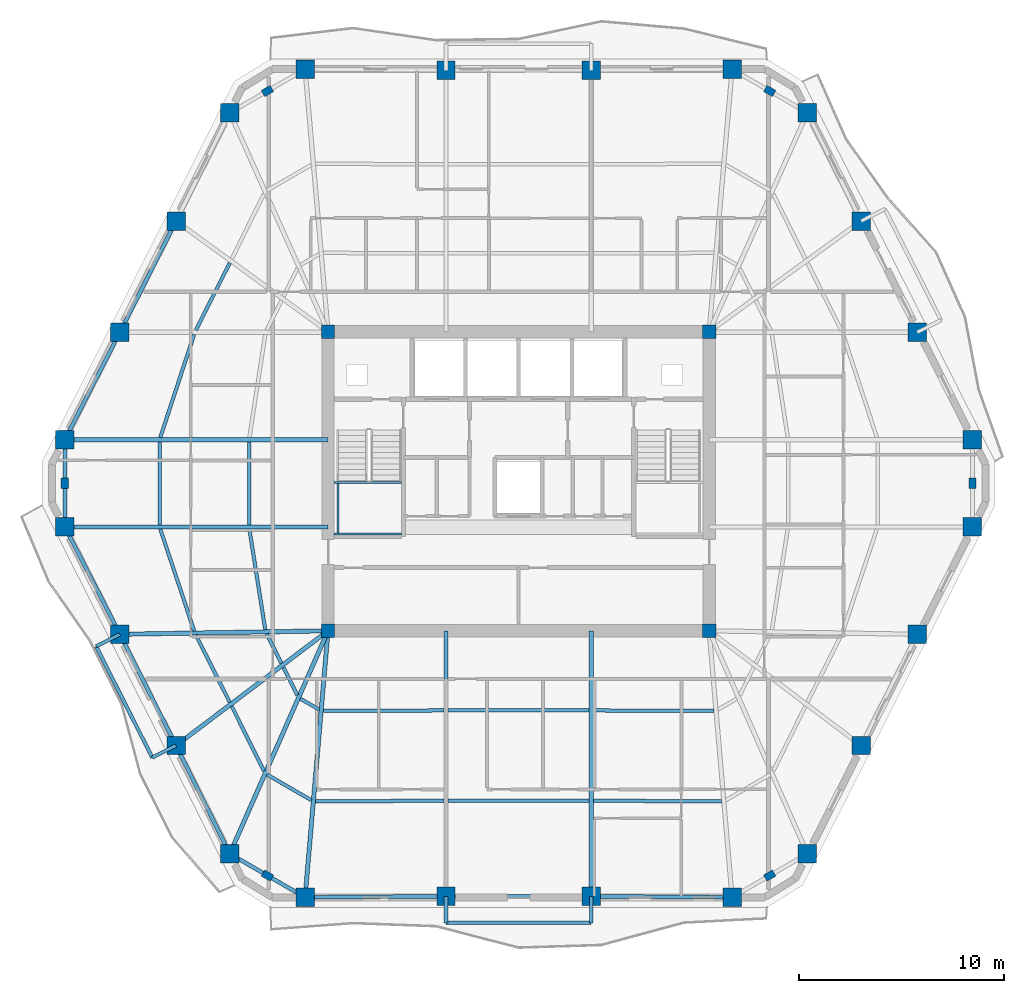
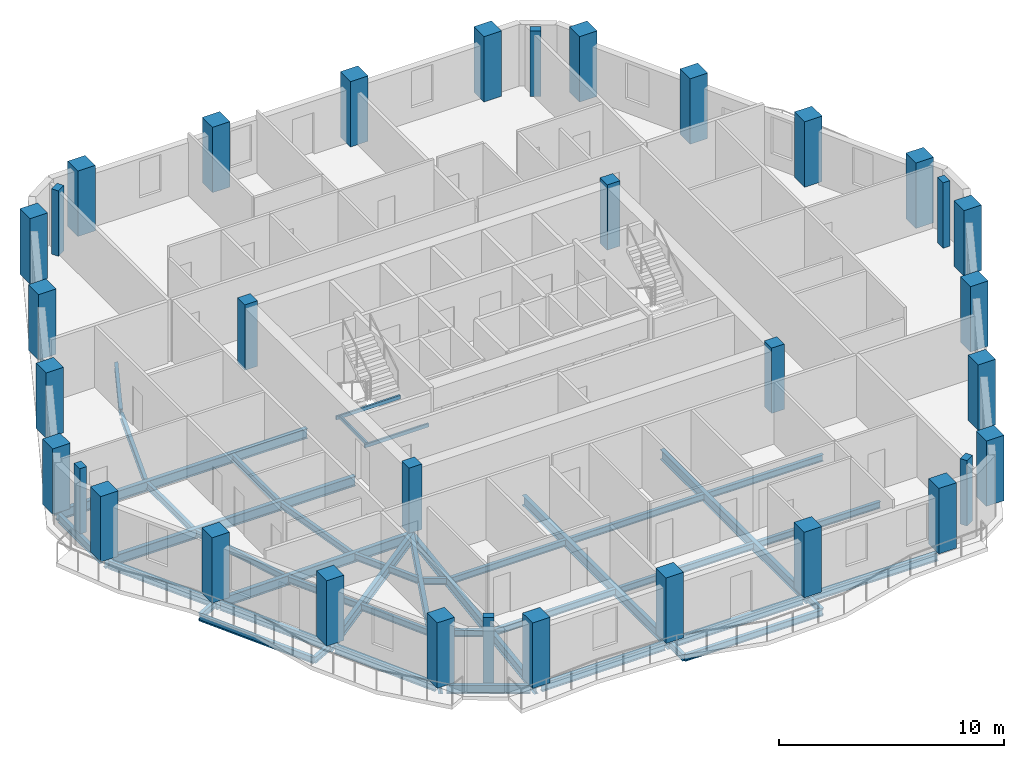
# One storey, part 1 of 11: 45 beams, 34 columns.
"""IFC4 building model written with IfcOpenShell, lengths in metres."""

from ifc_helpers import new_model, si_unit, direction, frame, origin, origin_2d, place, context, subcontext, project, spatial, rectangle, hollow_rectangle, i_section, extrude, material, material_profile, profile_set, type_object, element, save


model = new_model("IFC4")

# Units and contexts
model_context = context("Model", 3, precision=1e-05, world=origin(), true_north=direction((0.0, 1.0)))
body_context = subcontext(model_context, "Body", "Model", "MODEL_VIEW")
ifc_project = project(units=[si_unit("LENGTHUNIT", "METRE"), si_unit("AREAUNIT", "SQUARE_METRE"), si_unit("VOLUMEUNIT", "CUBIC_METRE"), si_unit("PLANEANGLEUNIT", "RADIAN"), si_unit("MASSUNIT", "GRAM", prefix="KILO")], contexts=[model_context])

# Site, building, storey
site_placement = place(None, origin())
site = spatial("IfcSite", under=ifc_project, at=site_placement, CompositionType="ELEMENT")
building_placement = place(site_placement, origin())
building = spatial("IfcBuilding", under=site, at=building_placement, Name="Cinnabar Lancet Tower", CompositionType="ELEMENT")
storey_placement = place(building_placement, frame((0.0, 0.0, 175.449951171875)))
storey = spatial("IfcBuildingStorey", under=building, at=storey_placement, Name="L46", CompositionType="ELEMENT", Elevation=175.449951171875)

# Columns
ifc_material_1 = material(Name="Concrete C60/75", Category="concrete")
ifc_material_profile_1 = material_profile(ifc_material_1, rectangle(XDim=0.64990234375, YDim=0.64990234375, at=origin_2d()), Name="RC-COL 650x650")
ifc_profile_set_1 = profile_set([ifc_material_profile_1], Name="Concrete C60/75")
column_type_1 = type_object("IfcColumnType", Name="STR-COL-CORE-650", PredefinedType="COLUMN", material=ifc_profile_set_1)
for number, where, z_axis, x_axis, name in (
    (1, (23.10009765625, 18.60009765625, 0.0), (0.0, 0.0, 1.0), (1.0, 0.0, 0.0), "L46 Core Corner Column SW"),
    (2, (41.699951171875, 18.60009765625, 0.0), (0.0, 0.0, 1.0), (1.0, 0.0, 0.0), "L46 Core Corner Column SE"),
    (3, (41.699951171875, 33.199951171875, 0.0), (0.0, 0.0, 1.0), (1.0, 0.0, 0.0), "L46 Core Corner Column NE"),
    (4, (23.10009765625, 33.199951171875, 0.0), (0.0, 0.0, 1.0), (1.0, 0.0, 0.0), "L46 Core Corner Column NW"),
):
    element("IfcColumn", number, at=place(storey_placement, frame(where, z_axis=z_axis, x_axis=x_axis)), inside=storey, type_object=column_type_1, Name=name, PredefinedType="COLUMN", context=body_context, shape_type="SweptSolid", body=[
        extrude(rectangle(XDim=0.64990234375, YDim=0.64990234375, at=origin_2d()), origin(), (0.0, 0.0, 1.0), 3.550048828125),
    ])
ifc_material_2 = material(Name="Concrete C60/75", Category="concrete")
ifc_material_profile_2 = material_profile(ifc_material_2, rectangle(XDim=0.5, YDim=0.35009765625, at=origin_2d()), Name="RC-PIL 500x350")
ifc_profile_set_2 = profile_set([ifc_material_profile_2], Name="Concrete C60/75")
column_type_2 = type_object("IfcColumnType", Name="STR-COL-PIL-500", PredefinedType="PILASTER", material=ifc_profile_set_2)
for number, where, z_axis, x_axis, name in (
    (5, (20.14208984375, 6.654052734375, 0.0), (0.0, 0.0, 1.0), (0.865230187018, -0.501374833306, 0.0), "L46 Chamfered Corner Pilaster 1"),
    (6, (44.657958984375, 6.654052734375, 0.0), (0.0, 0.0, 1.0), (0.865230187018, 0.501374833306, 0.0), "L46 Chamfered Corner Pilaster 2"),
    (7, (54.547119140625, 25.800048828125, 0.0), (0.0, 0.0, 1.0), (0.0, 1.0, 0.0), "L46 Chamfered Corner Pilaster 3"),
    (8, (44.657958984375, 44.947021484375, 0.0), (0.0, 0.0, 1.0), (-0.865230187018, 0.501374833306, 0.0), "L46 Chamfered Corner Pilaster 4"),
    (9, (20.14208984375, 44.947021484375, 0.0), (0.0, 0.0, 1.0), (-0.865230187018, -0.501374833306, 0.0), "L46 Chamfered Corner Pilaster 5"),
    (10, (10.2529296875, 25.800048828125, 0.0), (0.0, 0.0, 1.0), (0.0, -1.0, 0.0), "L46 Chamfered Corner Pilaster 6"),
):
    element("IfcColumn", number, at=place(storey_placement, frame(where, z_axis=z_axis, x_axis=x_axis)), inside=storey, type_object=column_type_2, Name=name, PredefinedType="PILASTER", context=body_context, shape_type="SweptSolid", body=[
        extrude(rectangle(XDim=0.5, YDim=0.35009765625, at=origin_2d()), origin(), (0.0, 0.0, 1.0), 3.550048828125),
    ])
ifc_material_3 = material(Name="Concrete C60/75", Category="concrete")
ifc_material_profile_3 = material_profile(ifc_material_3, rectangle(XDim=0.89990234375, YDim=0.89990234375, at=origin_2d()), Name="RC-COL 900x900")
ifc_profile_set_3 = profile_set([ifc_material_profile_3], Name="Concrete C60/75")
column_type_3 = type_object("IfcColumnType", Name="STR-COL-TUBE-900", PredefinedType="COLUMN", material=ifc_profile_set_3)
for number, where, z_axis, x_axis, name in (
    (11, (21.97900390625, 5.589111328125, 0.0), (0.0, 0.0, 1.0), (1.0, 0.0, 0.0), "L46 Perimeter Tube Column 1"),
    (12, (28.85693359375, 5.64208984375, 0.0), (0.0, 0.0, 1.0), (1.0, 0.0, 0.0), "L46 Perimeter Tube Column 2"),
    (13, (35.943115234375, 5.64208984375, 0.0), (0.0, 0.0, 1.0), (1.0, 0.0, 0.0), "L46 Perimeter Tube Column 3"),
    (14, (42.821044921875, 5.589111328125, 0.0), (0.0, 0.0, 1.0), (1.0, 0.0, 0.0), "L46 Perimeter Tube Column 4"),
    (15, (46.4951171875, 7.718017578125, 0.0), (0.0, 0.0, 1.0), (1.0, 0.0, 0.0), "L46 Perimeter Tube Column 5"),
    (16, (49.118896484375, 13.0009765625, 0.0), (0.0, 0.0, 1.0), (1.0, 0.0, 0.0), "L46 Perimeter Tube Column 6"),
    (17, (51.85791015625, 18.428955078125, 0.0), (0.0, 0.0, 1.0), (1.0, 0.0, 0.0), "L46 Perimeter Tube Column 7"),
    (18, (54.547119140625, 23.66796875, 0.0), (0.0, 0.0, 1.0), (1.0, 0.0, 0.0), "L46 Perimeter Tube Column 8"),
    (19, (54.547119140625, 27.931884765625, 0.0), (0.0, 0.0, 1.0), (1.0, 0.0, 0.0), "L46 Perimeter Tube Column 9"),
    (20, (51.85791015625, 33.1708984375, 0.0), (0.0, 0.0, 1.0), (1.0, 0.0, 0.0), "L46 Perimeter Tube Column 10"),
    (21, (49.118896484375, 38.59912109375, 0.0), (0.0, 0.0, 1.0), (1.0, 0.0, 0.0), "L46 Perimeter Tube Column 11"),
    (22, (46.4951171875, 43.882080078125, 0.0), (0.0, 0.0, 1.0), (1.0, 0.0, 0.0), "L46 Perimeter Tube Column 12"),
    (23, (42.821044921875, 46.010986328125, 0.0), (0.0, 0.0, 1.0), (1.0, 0.0, 0.0), "L46 Perimeter Tube Column 13"),
    (24, (35.943115234375, 45.9580078125, 0.0), (0.0, 0.0, 1.0), (1.0, 0.0, 0.0), "L46 Perimeter Tube Column 14"),
    (25, (28.85693359375, 45.9580078125, 0.0), (0.0, 0.0, 1.0), (1.0, 0.0, 0.0), "L46 Perimeter Tube Column 15"),
    (26, (21.97900390625, 46.010986328125, 0.0), (0.0, 0.0, 1.0), (1.0, 0.0, 0.0), "L46 Perimeter Tube Column 16"),
    (27, (18.304931640625, 43.882080078125, 0.0), (0.0, 0.0, 1.0), (1.0, 0.0, 0.0), "L46 Perimeter Tube Column 17"),
    (28, (15.680908203125, 38.59912109375, 0.0), (0.0, 0.0, 1.0), (1.0, 0.0, 0.0), "L46 Perimeter Tube Column 18"),
    (29, (12.94189453125, 33.1708984375, 0.0), (0.0, 0.0, 1.0), (1.0, 0.0, 0.0), "L46 Perimeter Tube Column 19"),
    (30, (10.2529296875, 27.931884765625, 0.0), (0.0, 0.0, 1.0), (1.0, 0.0, 0.0), "L46 Perimeter Tube Column 20"),
    (31, (10.2529296875, 23.66796875, 0.0), (0.0, 0.0, 1.0), (1.0, 0.0, 0.0), "L46 Perimeter Tube Column 21"),
    (32, (12.94189453125, 18.428955078125, 0.0), (0.0, 0.0, 1.0), (1.0, 0.0, 0.0), "L46 Perimeter Tube Column 22"),
    (33, (15.680908203125, 13.0009765625, 0.0), (0.0, 0.0, 1.0), (1.0, 0.0, 0.0), "L46 Perimeter Tube Column 23"),
    (34, (18.304931640625, 7.718017578125, 0.0), (0.0, 0.0, 1.0), (1.0, 0.0, 0.0), "L46 Perimeter Tube Column 24"),
):
    element("IfcColumn", number, at=place(storey_placement, frame(where, z_axis=z_axis, x_axis=x_axis)), inside=storey, type_object=column_type_3, Name=name, PredefinedType="COLUMN", context=body_context, shape_type="SweptSolid", body=[
        extrude(rectangle(XDim=0.89990234375, YDim=0.89990234375, at=origin_2d()), origin(), (0.0, 0.0, 1.0), 3.550048828125),
    ])

# Beams
ifc_material_4 = material(Name="Structural steel S355", Category="steel")
ifc_material_profile_4 = material_profile(ifc_material_4, i_section(OverallWidth=0.17138671875, OverallDepth=0.35498046875, WebThickness=0.00732421875, FlangeThickness=0.011474609375, FilletRadius=0.01025390625, at=origin_2d()), Name="UKB 356x171x51")
ifc_profile_set_4 = profile_set([ifc_material_profile_4], Name="Structural steel S355")
beam_type_1 = type_object("IfcBeamType", Name="STR-BM-JST-356", PredefinedType="JOIST", material=ifc_profile_set_4)
beam_1_placement = place(storey_placement, frame((14.9130859375, 23.56298828125, -0.3779296875), z_axis=(0.315346227037, -0.948976689436, 0.0), x_axis=(0.948976689436, 0.315346227037, 0.0)))
element("IfcBeam", 35, at=beam_1_placement, inside=storey, type_object=beam_type_1, Name="L46 Secondary Floor Joist 1", PredefinedType="JOIST", context=body_context, shape_type="SweptSolid", body=[
    extrude(i_section(OverallWidth=0.17138671875, OverallDepth=0.35498046875, WebThickness=0.00732421875, FlangeThickness=0.011474609375, FilletRadius=0.01025390625, at=origin_2d()), origin(), (0.0, 0.0, 1.0), 5.235107421875),
])
beam_2_placement = place(storey_placement, frame((19.261962890625, 23.56298828125, -0.3779296875), z_axis=(0.155702775827, -0.987803950994, 0.0), x_axis=(0.987803950994, 0.155702775827, 0.0)))
element("IfcBeam", 36, at=beam_2_placement, inside=storey, type_object=beam_type_1, Name="L46 Secondary Floor Joist 2", PredefinedType="JOIST", context=body_context, shape_type="SweptSolid", body=[
    extrude(i_section(OverallWidth=0.17138671875, OverallDepth=0.35498046875, WebThickness=0.00732421875, FlangeThickness=0.011474609375, FilletRadius=0.01025390625, at=origin_2d()), origin(), (0.0, 0.0, 1.0), 4.970458984375),
])
beam_3_placement = place(storey_placement, frame((16.65087890625, 18.386962890625, -0.3779296875), z_axis=(0.45061776862, -0.892716991327, 0.0), x_axis=(0.892716991327, 0.45061776862, 0.0)))
element("IfcBeam", 37, at=beam_3_placement, inside=storey, type_object=beam_type_1, Name="L46 Secondary Floor Joist 3", PredefinedType="JOIST", context=body_context, shape_type="SweptSolid", body=[
    extrude(i_section(OverallWidth=0.17138671875, OverallDepth=0.35498046875, WebThickness=0.00732421875, FlangeThickness=0.011474609375, FilletRadius=0.01025390625, at=origin_2d()), origin(), (0.0, 0.0, 1.0), 3.66845703125),
])
beam_4_placement = place(storey_placement, frame((20.10498046875, 18.445068359375, -0.3779296875), z_axis=(0.450137936259, -0.892959035085, 0.0), x_axis=(0.892959035085, 0.450137936259, 0.0)))
element("IfcBeam", 38, at=beam_4_placement, inside=storey, type_object=beam_type_1, Name="L46 Secondary Floor Joist 4", PredefinedType="JOIST", context=body_context, shape_type="SweptSolid", body=[
    extrude(i_section(OverallWidth=0.17138671875, OverallDepth=0.35498046875, WebThickness=0.00732421875, FlangeThickness=0.011474609375, FilletRadius=0.01025390625, at=origin_2d()), origin(), (0.0, 0.0, 1.0), 1.6015625),
])
beam_5_placement = place(storey_placement, frame((18.39892578125, 14.9208984375, -0.3779296875), z_axis=(0.445083338565, -0.895489152214, 0.0), x_axis=(0.895489152214, 0.445083338565, 0.0)))
element("IfcBeam", 39, at=beam_5_placement, inside=storey, type_object=beam_type_1, Name="L46 Secondary Floor Joist 5", PredefinedType="JOIST", context=body_context, shape_type="SweptSolid", body=[
    extrude(i_section(OverallWidth=0.17138671875, OverallDepth=0.35498046875, WebThickness=0.00732421875, FlangeThickness=0.011474609375, FilletRadius=0.01025390625, at=origin_2d()), origin(), (0.0, 0.0, 1.0), 3.531982421875),
])
beam_6_placement = place(storey_placement, frame((20.922119140625, 16.824951171875, -0.3779296875), z_axis=(0.444589856968, -0.895734256954, 0.0), x_axis=(0.895734256954, 0.444589856968, 0.0)))
element("IfcBeam", 40, at=beam_6_placement, inside=storey, type_object=beam_type_1, Name="L46 Secondary Floor Joist 6", PredefinedType="JOIST", context=body_context, shape_type="SweptSolid", body=[
    extrude(i_section(OverallWidth=0.17138671875, OverallDepth=0.35498046875, WebThickness=0.00732421875, FlangeThickness=0.011474609375, FilletRadius=0.01025390625, at=origin_2d()), origin(), (0.0, 0.0, 1.0), 1.527099609375),
])
beam_7_placement = place(storey_placement, frame((20.1220703125, 11.5830078125, -0.3779296875), z_axis=(0.865267839663, -0.501309849937, 0.0), x_axis=(0.501309849937, 0.865267839663, 0.0)))
element("IfcBeam", 41, at=beam_7_placement, inside=storey, type_object=beam_type_1, Name="L46 Secondary Floor Joist 7", PredefinedType="JOIST", context=body_context, shape_type="SweptSolid", body=[
    extrude(i_section(OverallWidth=0.17138671875, OverallDepth=0.35498046875, WebThickness=0.00732421875, FlangeThickness=0.011474609375, FilletRadius=0.01025390625, at=origin_2d()), origin(), (0.0, 0.0, 1.0), 2.497314453125),
])
beam_8_placement = place(storey_placement, frame((21.7529296875, 15.282958984375, -0.3779296875), z_axis=(0.8651881055, -0.501447446998, 0.0), x_axis=(0.501447446998, 0.8651881055, 0.0)))
element("IfcBeam", 42, at=beam_8_placement, inside=storey, type_object=beam_type_1, Name="L46 Secondary Floor Joist 8", PredefinedType="JOIST", context=body_context, shape_type="SweptSolid", body=[
    extrude(i_section(OverallWidth=0.17138671875, OverallDepth=0.35498046875, WebThickness=0.00732421875, FlangeThickness=0.011474609375, FilletRadius=0.01025390625, at=origin_2d()), origin(), (0.0, 0.0, 1.0), 1.05322265625),
])
beam_9_placement = place(storey_placement, frame((22.488037109375, 10.27392578125, -0.3779296875), z_axis=(0.999986965561, 0.005105752523, 0.0), x_axis=(-0.005105752523, 0.999986965561, 0.0)))
element("IfcBeam", 43, at=beam_9_placement, inside=storey, type_object=beam_type_1, Name="L46 Secondary Floor Joist 9", PredefinedType="JOIST", context=body_context, shape_type="SweptSolid", body=[
    extrude(i_section(OverallWidth=0.17138671875, OverallDepth=0.35498046875, WebThickness=0.00732421875, FlangeThickness=0.011474609375, FilletRadius=0.01025390625, at=origin_2d()), origin(), (0.0, 0.0, 1.0), 6.263916015625),
])
beam_10_placement = place(storey_placement, frame((22.868896484375, 14.697021484375, -0.3779296875), z_axis=(0.999996795933, 0.002531427338, 0.0), x_axis=(-0.002531427338, 0.999996795933, 0.0)))
element("IfcBeam", 44, at=beam_10_placement, inside=storey, type_object=beam_type_1, Name="L46 Secondary Floor Joist 10", PredefinedType="JOIST", context=body_context, shape_type="SweptSolid", body=[
    extrude(i_section(OverallWidth=0.17138671875, OverallDepth=0.35498046875, WebThickness=0.00732421875, FlangeThickness=0.011474609375, FilletRadius=0.01025390625, at=origin_2d()), origin(), (0.0, 0.0, 1.0), 5.883056640625),
])
for number, where, z_axis, x_axis, name in (
    (45, (28.9619140625, 10.306884765625, -0.3779296875), (1.0, 0.0, 0.0), (0.0, 1.0, 0.0), "L46 Secondary Floor Joist 11"),
    (46, (28.9619140625, 14.712890625, -0.3779296875), (1.0, 0.0, 0.0), (0.0, 1.0, 0.0), "L46 Secondary Floor Joist 12"),
):
    element("IfcBeam", number, at=place(storey_placement, frame(where, z_axis=z_axis, x_axis=x_axis)), inside=storey, type_object=beam_type_1, Name=name, PredefinedType="JOIST", context=body_context, shape_type="SweptSolid", body=[
        extrude(i_section(OverallWidth=0.17138671875, OverallDepth=0.35498046875, WebThickness=0.00732421875, FlangeThickness=0.011474609375, FilletRadius=0.01025390625, at=origin_2d()), origin(), (0.0, 0.0, 1.0), 6.8759765625),
    ])
beam_11_placement = place(storey_placement, frame((36.048095703125, 10.305908203125, -0.3779296875), z_axis=(0.999986965561, -0.005105752523, 0.0), x_axis=(0.005105752523, 0.999986965561, 0.0)))
element("IfcBeam", 47, at=beam_11_placement, inside=storey, type_object=beam_type_1, Name="L46 Secondary Floor Joist 13", PredefinedType="JOIST", context=body_context, shape_type="SweptSolid", body=[
    extrude(i_section(OverallWidth=0.17138671875, OverallDepth=0.35498046875, WebThickness=0.00732421875, FlangeThickness=0.011474609375, FilletRadius=0.01025390625, at=origin_2d()), origin(), (0.0, 0.0, 1.0), 6.263916015625),
])
beam_12_placement = place(storey_placement, frame((36.048095703125, 14.7119140625, -0.3779296875), z_axis=(0.999996795667, -0.002531532393, 0.0), x_axis=(0.002531532393, 0.999996795667, 0.0)))
element("IfcBeam", 48, at=beam_12_placement, inside=storey, type_object=beam_type_1, Name="L46 Secondary Floor Joist 14", PredefinedType="JOIST", context=body_context, shape_type="SweptSolid", body=[
    extrude(i_section(OverallWidth=0.17138671875, OverallDepth=0.35498046875, WebThickness=0.00732421875, FlangeThickness=0.011474609375, FilletRadius=0.01025390625, at=origin_2d()), origin(), (0.0, 0.0, 1.0), 5.8828125),
])
beam_13_placement = place(storey_placement, frame((18.303955078125, 36.56103515625, -0.3779296875), z_axis=(-0.449230875134, -0.893415704376, 0.0), x_axis=(0.893415704376, -0.449230875134, 0.0)))
element("IfcBeam", 49, at=beam_13_placement, inside=storey, type_object=beam_type_1, Name="L46 Secondary Floor Joist 43", PredefinedType="JOIST", context=body_context, shape_type="SweptSolid", body=[
    extrude(i_section(OverallWidth=0.17138671875, OverallDepth=0.35498046875, WebThickness=0.00732421875, FlangeThickness=0.011474609375, FilletRadius=0.01025390625, at=origin_2d()), origin(), (0.0, 0.0, 1.0), 3.677001953125),
])
beam_14_placement = place(storey_placement, frame((16.56494140625, 33.06591796875, -0.3779296875), z_axis=(-0.312240109925, -0.95000321776, 0.0), x_axis=(0.95000321776, -0.312240109925, 0.0)))
element("IfcBeam", 50, at=beam_14_placement, inside=storey, type_object=beam_type_1, Name="L46 Secondary Floor Joist 45", PredefinedType="JOIST", context=body_context, shape_type="SweptSolid", body=[
    extrude(i_section(OverallWidth=0.17138671875, OverallDepth=0.35498046875, WebThickness=0.00732421875, FlangeThickness=0.011474609375, FilletRadius=0.01025390625, at=origin_2d()), origin(), (0.0, 0.0, 1.0), 5.29345703125),
])
for number, where, z_axis, x_axis, name in (
    (51, (14.8779296875, 27.826904296875, -0.3779296875), (0.0, -1.0, 0.0), (1.0, 0.0, 0.0), "L46 Secondary Floor Joist 47"),
    (52, (19.24609375, 27.826904296875, -0.3779296875), (0.0, -1.0, 0.0), (1.0, 0.0, 0.0), "L46 Secondary Floor Joist 48"),
):
    element("IfcBeam", number, at=place(storey_placement, frame(where, z_axis=z_axis, x_axis=x_axis)), inside=storey, type_object=beam_type_1, Name=name, PredefinedType="JOIST", context=body_context, shape_type="SweptSolid", body=[
        extrude(i_section(OverallWidth=0.17138671875, OverallDepth=0.35498046875, WebThickness=0.00732421875, FlangeThickness=0.011474609375, FilletRadius=0.01025390625, at=origin_2d()), origin(), (0.0, 0.0, 1.0), 4.053955078125),
    ])
ifc_material_5 = material(Name="Structural steel S355", Category="steel")
ifc_material_profile_5 = material_profile(ifc_material_5, hollow_rectangle(XDim=0.10009765625, YDim=0.199951171875, WallThickness=0.008056640625, InnerFilletRadius=0.00390625, OuterFilletRadius=0.011962890625, at=origin_2d()), Name="RHS 200x100x8")
ifc_profile_set_5 = profile_set([ifc_material_profile_5], Name="Structural steel S355")
beam_type_2 = type_object("IfcBeamType", Name="STR-BM-LND-203", PredefinedType="BEAM", material=ifc_profile_set_5)
for number, where, z_axis, x_axis, name in (
    (53, (23.39990234375, 23.330078125, 1.47509765625), (1.0, 0.0, 0.0), (0.0, 1.0, 0.0), "L46 ST-1-L46 Landing Support Beam S"),
    (54, (23.39990234375, 25.844970703125, 1.47509765625), (1.0, 0.0, 0.0), (0.0, 1.0, 0.0), "L46 ST-1-L46 Landing Support Beam N"),
):
    element("IfcBeam", number, at=place(storey_placement, frame(where, z_axis=z_axis, x_axis=x_axis)), inside=storey, type_object=beam_type_2, Name=name, PredefinedType="BEAM", context=body_context, shape_type="SweptSolid", body=[
        extrude(hollow_rectangle(XDim=0.10009765625, YDim=0.199951171875, WallThickness=0.008056640625, InnerFilletRadius=0.00390625, OuterFilletRadius=0.011962890625, at=origin_2d()), origin(), (0.0, 0.0, 1.0), 3.280029296875),
    ])
beam_15_placement = place(storey_placement, frame((23.580078125, 23.3798828125, 1.47509765625), z_axis=(0.0, 1.0, 0.0), x_axis=(-1.0, 0.0, 0.0)))
element("IfcBeam", 55, at=beam_15_placement, inside=storey, type_object=beam_type_2, Name="L46 ST-1-L46 Landing Side Trimmer Beam", PredefinedType="BEAM", context=body_context, shape_type="SweptSolid", body=[
    extrude(hollow_rectangle(XDim=0.10009765625, YDim=0.199951171875, WallThickness=0.008056640625, InnerFilletRadius=0.00390625, OuterFilletRadius=0.011962890625, at=origin_2d()), origin(), (0.0, 0.0, 1.0), 2.4150390625),
])
ifc_material_6 = material(Name="Structural steel S355", Category="steel")
ifc_material_profile_6 = material_profile(ifc_material_6, i_section(OverallWidth=0.1904296875, OverallDepth=0.45703125, WebThickness=0.009033203125, FlangeThickness=0.014404296875, FilletRadius=0.01025390625, at=origin_2d()), Name="UKB 457x191x74")
ifc_profile_set_6 = profile_set([ifc_material_profile_6], Name="Structural steel S355")
beam_type_3 = type_object("IfcBeamType", Name="STR-BM-SPN-457", PredefinedType="SPANDREL", material=ifc_profile_set_6)
beam_16_placement = place(storey_placement, frame((22.22900390625, 5.591064453125, -0.427978515625), z_axis=(0.999970695686, 0.007655571089, 0.0), x_axis=(-0.007655571089, 0.999970695686, 0.0)))
element("IfcBeam", 56, at=beam_16_placement, inside=storey, type_object=beam_type_3, Name="L46 Perimeter Spandrel 1", PredefinedType="SPANDREL", context=body_context, shape_type="SweptSolid", body=[
    extrude(i_section(OverallWidth=0.1904296875, OverallDepth=0.45703125, WebThickness=0.009033203125, FlangeThickness=0.014404296875, FilletRadius=0.01025390625, at=origin_2d()), origin(), (0.0, 0.0, 1.0), 6.378173828125),
])
beam_17_placement = place(storey_placement, frame((29.10693359375, 5.64208984375, -0.427978515625), z_axis=(1.0, 0.0, 0.0), x_axis=(0.0, 1.0, 0.0)))
element("IfcBeam", 57, at=beam_17_placement, inside=storey, type_object=beam_type_3, Name="L46 Perimeter Spandrel 2", PredefinedType="SPANDREL", context=body_context, shape_type="SweptSolid", body=[
    extrude(i_section(OverallWidth=0.1904296875, OverallDepth=0.45703125, WebThickness=0.009033203125, FlangeThickness=0.014404296875, FilletRadius=0.01025390625, at=origin_2d()), origin(), (0.0, 0.0, 1.0), 6.586181640625),
])
beam_18_placement = place(storey_placement, frame((36.193115234375, 5.639892578125, -0.427978515625), z_axis=(0.999970695686, -0.007655571089, 0.0), x_axis=(0.007655571089, 0.999970695686, 0.0)))
element("IfcBeam", 58, at=beam_18_placement, inside=storey, type_object=beam_type_3, Name="L46 Perimeter Spandrel 3", PredefinedType="SPANDREL", context=body_context, shape_type="SweptSolid", body=[
    extrude(i_section(OverallWidth=0.1904296875, OverallDepth=0.45703125, WebThickness=0.009033203125, FlangeThickness=0.014404296875, FilletRadius=0.01025390625, at=origin_2d()), origin(), (0.0, 0.0, 1.0), 6.378173828125),
])
beam_19_placement = place(storey_placement, frame((15.568115234375, 38.3759765625, -0.427978515625), z_axis=(-0.450395996562, -0.892828900899, 0.0), x_axis=(0.892828900899, -0.450395996562, 0.0)))
element("IfcBeam", 59, at=beam_19_placement, inside=storey, type_object=beam_type_3, Name="L46 Perimeter Spandrel 18", PredefinedType="SPANDREL", context=body_context, shape_type="SweptSolid", body=[
    extrude(i_section(OverallWidth=0.1904296875, OverallDepth=0.45703125, WebThickness=0.009033203125, FlangeThickness=0.014404296875, FilletRadius=0.01025390625, at=origin_2d()), origin(), (0.0, 0.0, 1.0), 5.579833984375),
])
beam_20_placement = place(storey_placement, frame((12.827880859375, 32.948974609375, -0.427978515625), z_axis=(-0.456610910924, -0.889666497079, 0.0), x_axis=(0.889666497079, -0.456610910924, 0.0)))
element("IfcBeam", 60, at=beam_20_placement, inside=storey, type_object=beam_type_3, Name="L46 Perimeter Spandrel 19", PredefinedType="SPANDREL", context=body_context, shape_type="SweptSolid", body=[
    extrude(i_section(OverallWidth=0.1904296875, OverallDepth=0.45703125, WebThickness=0.009033203125, FlangeThickness=0.014404296875, FilletRadius=0.01025390625, at=origin_2d()), origin(), (0.0, 0.0, 1.0), 5.3896484375),
])
beam_21_placement = place(storey_placement, frame((10.2529296875, 27.681884765625, -0.427978515625), z_axis=(0.0, -1.0, 0.0), x_axis=(1.0, 0.0, 0.0)))
element("IfcBeam", 61, at=beam_21_placement, inside=storey, type_object=beam_type_3, Name="L46 Perimeter Spandrel 20", PredefinedType="SPANDREL", context=body_context, shape_type="SweptSolid", body=[
    extrude(i_section(OverallWidth=0.1904296875, OverallDepth=0.45703125, WebThickness=0.009033203125, FlangeThickness=0.014404296875, FilletRadius=0.01025390625, at=origin_2d()), origin(), (0.0, 0.0, 1.0), 3.763916015625),
])
beam_22_placement = place(storey_placement, frame((10.366943359375, 23.446044921875, -0.427978515625), z_axis=(0.456592509812, -0.889675940994, 0.0), x_axis=(0.889675940994, 0.456592509812, 0.0)))
element("IfcBeam", 62, at=beam_22_placement, inside=storey, type_object=beam_type_3, Name="L46 Perimeter Spandrel 21", PredefinedType="SPANDREL", context=body_context, shape_type="SweptSolid", body=[
    extrude(i_section(OverallWidth=0.1904296875, OverallDepth=0.45703125, WebThickness=0.009033203125, FlangeThickness=0.014404296875, FilletRadius=0.01025390625, at=origin_2d()), origin(), (0.0, 0.0, 1.0), 5.389892578125),
])
beam_23_placement = place(storey_placement, frame((13.054931640625, 18.2060546875, -0.427978515625), z_axis=(0.450395996562, -0.892828900899, 0.0), x_axis=(0.892828900899, 0.450395996562, 0.0)))
element("IfcBeam", 63, at=beam_23_placement, inside=storey, type_object=beam_type_3, Name="L46 Perimeter Spandrel 22", PredefinedType="SPANDREL", context=body_context, shape_type="SweptSolid", body=[
    extrude(i_section(OverallWidth=0.1904296875, OverallDepth=0.45703125, WebThickness=0.009033203125, FlangeThickness=0.014404296875, FilletRadius=0.01025390625, at=origin_2d()), origin(), (0.0, 0.0, 1.0), 5.579833984375),
])
beam_24_placement = place(storey_placement, frame((15.7919921875, 12.777099609375, -0.427978515625), z_axis=(0.444914968367, -0.895572817208, 0.0), x_axis=(0.895572817208, 0.444914968367, 0.0)))
element("IfcBeam", 64, at=beam_24_placement, inside=storey, type_object=beam_type_3, Name="L46 Perimeter Spandrel 23", PredefinedType="SPANDREL", context=body_context, shape_type="SweptSolid", body=[
    extrude(i_section(OverallWidth=0.1904296875, OverallDepth=0.45703125, WebThickness=0.009033203125, FlangeThickness=0.014404296875, FilletRadius=0.01025390625, at=origin_2d()), origin(), (0.0, 0.0, 1.0), 5.39892578125),
])
beam_25_placement = place(storey_placement, frame((18.52099609375, 7.593017578125, -0.427978515625), z_axis=(0.865195717586, -0.501434313016, 0.0), x_axis=(0.501434313016, 0.865195717586, 0.0)))
element("IfcBeam", 65, at=beam_25_placement, inside=storey, type_object=beam_type_3, Name="L46 Perimeter Spandrel 24", PredefinedType="SPANDREL", context=body_context, shape_type="SweptSolid", body=[
    extrude(i_section(OverallWidth=0.1904296875, OverallDepth=0.45703125, WebThickness=0.009033203125, FlangeThickness=0.014404296875, FilletRadius=0.01025390625, at=origin_2d()), origin(), (0.0, 0.0, 1.0), 3.7470703125),
])
ifc_material_7 = material(Name="Structural steel S355", Category="steel")
ifc_material_profile_7 = material_profile(ifc_material_7, i_section(OverallWidth=0.209228515625, OverallDepth=0.533203125, WebThickness=0.010009765625, FlangeThickness=0.015625, FilletRadius=0.0126953125, at=origin_2d()), Name="UKB 533x210x92")
ifc_profile_set_7 = profile_set([ifc_material_profile_7], Name="Structural steel S355")
beam_type_4 = type_object("IfcBeamType", Name="STR-BM-UKB533-92", PredefinedType="BEAM", material=ifc_profile_set_7)
beam_26_placement = place(storey_placement, frame((15.680908203125, 13.0009765625, -0.467041015625), z_axis=(0.798202971293, 0.602388592703, 0.0), x_axis=(-0.602388592703, 0.798202971293, 0.0)))
element("IfcBeam", 66, at=beam_26_placement, inside=storey, type_object=beam_type_4, Name="L46 Corner Collector Girder 1", PredefinedType="BEAM", context=body_context, shape_type="SweptSolid", body=[
    extrude(i_section(OverallWidth=0.209228515625, OverallDepth=0.533203125, WebThickness=0.010009765625, FlangeThickness=0.015625, FilletRadius=0.0126953125, at=origin_2d()), origin(), (0.0, 0.0, 1.0), 9.294921875),
])
beam_27_placement = place(storey_placement, frame((21.97900390625, 5.589111328125, -0.467041015625), z_axis=(0.085847068729, 0.996308326167, 0.0), x_axis=(-0.996308326167, 0.085847068729, 0.0)))
element("IfcBeam", 67, at=beam_27_placement, inside=storey, type_object=beam_type_4, Name="L46 Primary Floor Girder 1", PredefinedType="BEAM", context=body_context, shape_type="SweptSolid", body=[
    extrude(i_section(OverallWidth=0.209228515625, OverallDepth=0.533203125, WebThickness=0.010009765625, FlangeThickness=0.015625, FilletRadius=0.0126953125, at=origin_2d()), origin(), (0.0, 0.0, 1.0), 13.05908203125),
])
for number, where, z_axis, x_axis, name in (
    (68, (28.85693359375, 5.64208984375, -0.467041015625), (0.0, 1.0, 0.0), (-1.0, 0.0, 0.0), "L46 Primary Floor Girder 2"),
    (69, (35.943115234375, 5.64208984375, -0.467041015625), (0.0, 1.0, 0.0), (-1.0, 0.0, 0.0), "L46 Primary Floor Girder 3"),
):
    element("IfcBeam", number, at=place(storey_placement, frame(where, z_axis=z_axis, x_axis=x_axis)), inside=storey, type_object=beam_type_4, Name=name, PredefinedType="BEAM", context=body_context, shape_type="SweptSolid", body=[
        extrude(i_section(OverallWidth=0.209228515625, OverallDepth=0.533203125, WebThickness=0.010009765625, FlangeThickness=0.015625, FilletRadius=0.0126953125, at=origin_2d()), origin(), (0.0, 0.0, 1.0), 12.9580078125),
    ])
for number, where, z_axis, x_axis, name in (
    (70, (10.2529296875, 27.931884765625, -0.467041015625), (1.0, 0.0, 0.0), (0.0, 1.0, 0.0), "L46 Primary Floor Girder 20"),
    (71, (10.2529296875, 23.66796875, -0.467041015625), (1.0, 0.0, 0.0), (0.0, 1.0, 0.0), "L46 Primary Floor Girder 21"),
):
    element("IfcBeam", number, at=place(storey_placement, frame(where, z_axis=z_axis, x_axis=x_axis)), inside=storey, type_object=beam_type_4, Name=name, PredefinedType="BEAM", context=body_context, shape_type="SweptSolid", body=[
        extrude(i_section(OverallWidth=0.209228515625, OverallDepth=0.533203125, WebThickness=0.010009765625, FlangeThickness=0.015625, FilletRadius=0.0126953125, at=origin_2d()), origin(), (0.0, 0.0, 1.0), 12.84716796875),
    ])
beam_28_placement = place(storey_placement, frame((12.94189453125, 18.428955078125, -0.467041015625), z_axis=(0.999858107345, 0.016845331024, 0.0), x_axis=(-0.016845331024, 0.999858107345, 0.0)))
element("IfcBeam", 72, at=beam_28_placement, inside=storey, type_object=beam_type_4, Name="L46 Primary Floor Girder 22", PredefinedType="BEAM", context=body_context, shape_type="SweptSolid", body=[
    extrude(i_section(OverallWidth=0.209228515625, OverallDepth=0.533203125, WebThickness=0.010009765625, FlangeThickness=0.015625, FilletRadius=0.0126953125, at=origin_2d()), origin(), (0.0, 0.0, 1.0), 10.15966796875),
])
beam_29_placement = place(storey_placement, frame((18.304931640625, 7.718017578125, -0.467041015625), z_axis=(0.403235299754, 0.915096329919, 0.0), x_axis=(-0.915096329919, 0.403235299754, 0.0)))
element("IfcBeam", 73, at=beam_29_placement, inside=storey, type_object=beam_type_4, Name="L46 Primary Floor Girder 24", PredefinedType="BEAM", context=body_context, shape_type="SweptSolid", body=[
    extrude(i_section(OverallWidth=0.209228515625, OverallDepth=0.533203125, WebThickness=0.010009765625, FlangeThickness=0.015625, FilletRadius=0.0126953125, at=origin_2d()), origin(), (0.0, 0.0, 1.0), 11.891845703125),
])
ifc_material_8 = material(Name="Structural steel S355", Category="steel")
ifc_material_profile_8 = material_profile(ifc_material_8, i_section(OverallWidth=0.17138671875, OverallDepth=0.35498046875, WebThickness=0.00732421875, FlangeThickness=0.011474609375, FilletRadius=0.01025390625, at=origin_2d()), Name="UKB 356x171x51")
ifc_profile_set_8 = profile_set([ifc_material_profile_8], Name="Structural steel S355")
beam_type_5 = type_object("IfcBeamType", Name="STR-BM-WAV-OUT", PredefinedType="BEAM", material=ifc_profile_set_8)
for number, where, z_axis, x_axis, name in (
    (74, (28.85693359375, 5.64208984375, -0.39794921875), (0.0, -1.0, 0.0), (1.0, 0.0, 0.0), "L46 Face 1 Balcony Outlooker A"),
    (75, (35.943115234375, 5.64208984375, -0.39794921875), (0.0, -1.0, 0.0), (1.0, 0.0, 0.0), "L46 Face 1 Balcony Outlooker B"),
    (76, (12.94189453125, 18.428955078125, -0.39794921875), (-0.89227592947, -0.451490493464, 0.0), (0.451490493464, -0.89227592947, 0.0), "L46 Face 6 Balcony Outlooker A"),
    (77, (15.680908203125, 13.0009765625, -0.39794921875), (-0.89227592947, -0.451490493464, 0.0), (0.451490493464, -0.89227592947, 0.0), "L46 Face 6 Balcony Outlooker B"),
):
    element("IfcBeam", number, at=place(storey_placement, frame(where, z_axis=z_axis, x_axis=x_axis)), inside=storey, type_object=beam_type_5, Name=name, PredefinedType="BEAM", context=body_context, shape_type="SweptSolid", body=[
        extrude(i_section(OverallWidth=0.17138671875, OverallDepth=0.35498046875, WebThickness=0.00732421875, FlangeThickness=0.011474609375, FilletRadius=0.01025390625, at=origin_2d()), origin(), (0.0, 0.0, 1.0), 1.300048828125),
    ])
ifc_material_9 = material(Name="Structural steel S355", Category="steel")
ifc_material_profile_9 = material_profile(ifc_material_9, i_section(OverallWidth=0.17138671875, OverallDepth=0.35498046875, WebThickness=0.00732421875, FlangeThickness=0.011474609375, FilletRadius=0.01025390625, at=origin_2d()), Name="UKB 356x171x51")
ifc_profile_set_9 = profile_set([ifc_material_profile_9], Name="Structural steel S355")
beam_type_6 = type_object("IfcBeamType", Name="STR-BM-WAV-TRIM", PredefinedType="SPANDREL", material=ifc_profile_set_9)
beam_30_placement = place(storey_placement, frame((28.85693359375, 4.342041015625, -0.39794921875), z_axis=(1.0, 0.0, 0.0), x_axis=(0.0, 1.0, 0.0)))
element("IfcBeam", 78, at=beam_30_placement, inside=storey, type_object=beam_type_6, Name="L46 Face 1 Balcony Edge Trimmer", PredefinedType="SPANDREL", context=body_context, shape_type="SweptSolid", body=[
    extrude(i_section(OverallWidth=0.17138671875, OverallDepth=0.35498046875, WebThickness=0.00732421875, FlangeThickness=0.011474609375, FilletRadius=0.01025390625, at=origin_2d()), origin(), (0.0, 0.0, 1.0), 7.086181640625),
])
beam_31_placement = place(storey_placement, frame((11.781982421875, 17.842041015625, -0.39794921875), z_axis=(0.450503306898, -0.892774759093, 0.0), x_axis=(0.892774759093, 0.450503306898, 0.0)))
element("IfcBeam", 79, at=beam_31_placement, inside=storey, type_object=beam_type_6, Name="L46 Face 6 Balcony Edge Trimmer", PredefinedType="SPANDREL", context=body_context, shape_type="SweptSolid", body=[
    extrude(i_section(OverallWidth=0.17138671875, OverallDepth=0.35498046875, WebThickness=0.00732421875, FlangeThickness=0.011474609375, FilletRadius=0.01025390625, at=origin_2d()), origin(), (0.0, 0.0, 1.0), 6.079833984375),
])

save(model, "model.ifc")
